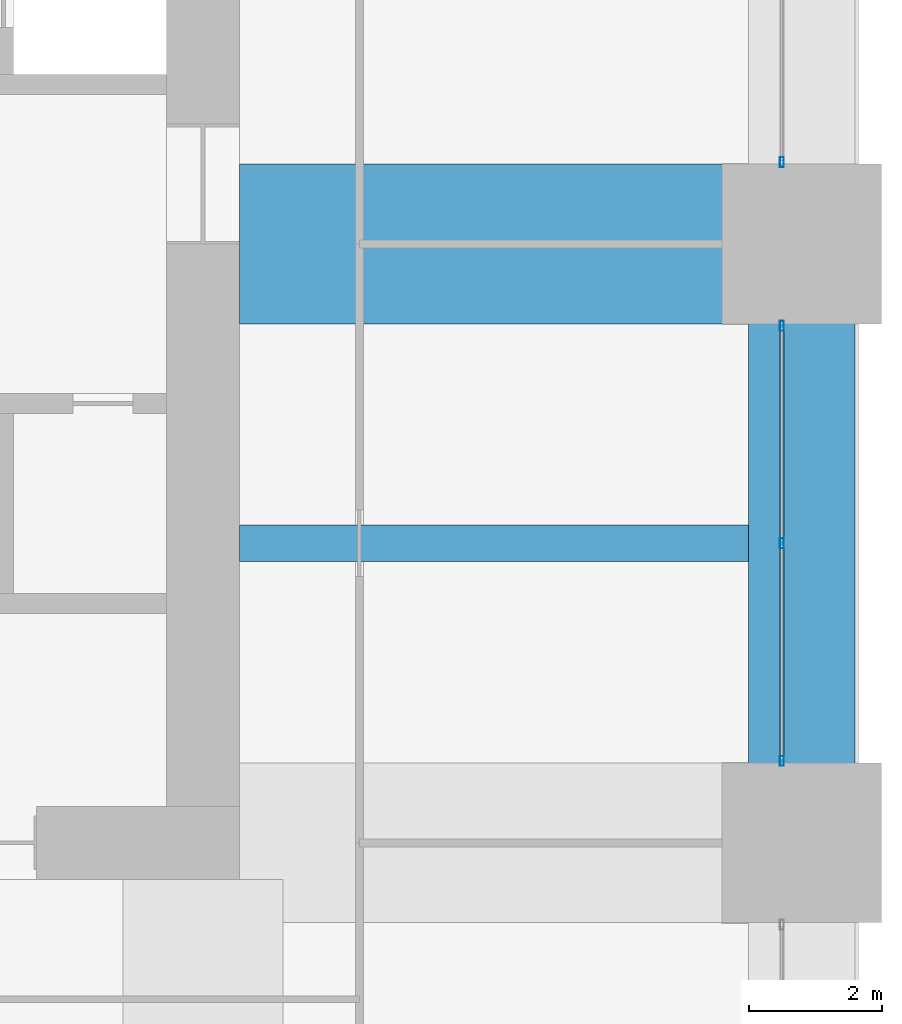
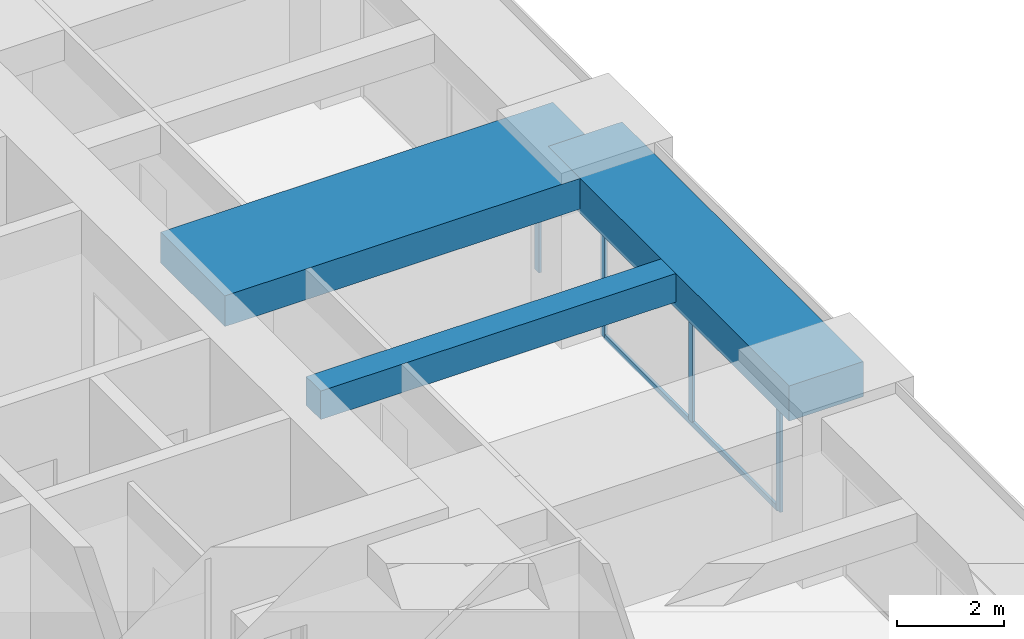
# One storey, part 18 of 35: 5 members, 3 beams, 2 elements without a shape of their own.
"""IFC4 building model written with IfcOpenShell, lengths in metres."""

from ifc_helpers import new_model, si_unit, direction, frame, origin, origin_2d, place, context, subcontext, project, spatial, rectangle, hollow_rectangle, extrude, material, material_profile, profile_set, type_object, element, aggregate, save


model = new_model("IFC4")

# Units and contexts
model_context = context("Model", 3, precision=1e-05, world=origin(), true_north=direction((0.0, 1.0)))
body_context = subcontext(model_context, "Body", "Model", "MODEL_VIEW")
ifc_project = project(units=[si_unit("LENGTHUNIT", "METRE"), si_unit("AREAUNIT", "SQUARE_METRE"), si_unit("VOLUMEUNIT", "CUBIC_METRE"), si_unit("PLANEANGLEUNIT", "RADIAN"), si_unit("MASSUNIT", "GRAM", prefix="KILO")], contexts=[model_context])

# Site, building, storey
site_placement = place(None, origin())
site = spatial("IfcSite", under=ifc_project, at=site_placement, CompositionType="ELEMENT")
building_placement = place(site_placement, origin())
building = spatial("IfcBuilding", under=site, at=building_placement, Name="Zorevar Civic Tower", CompositionType="ELEMENT")
storey_placement = place(building_placement, frame((0.0, 0.0, 222.199951171875)))
storey = spatial("IfcBuildingStorey", under=building, at=storey_placement, Name="L54", CompositionType="ELEMENT", Elevation=222.199951171875)

# Beams
ifc_material_1 = material(Name="Concrete C50/60", Category="concrete")
ifc_material_profile_1 = material_profile(ifc_material_1, rectangle(XDim=2.39990234375, YDim=0.699951171875, at=origin_2d()), Name="RC 2400x700")
ifc_profile_set_1 = profile_set([ifc_material_profile_1], Name="Concrete C50/60")
beam_type_1 = type_object("IfcBeamType", Name="Beam RC 2400x700", PredefinedType="BEAM", material=ifc_profile_set_1)
beam_1_placement = place(storey_placement, frame((45.550048828125, 27.0, 3.400146484375), z_axis=(1.0, 0.0, 0.0), x_axis=(0.0, 1.0, 0.0)))
element("IfcBeam", 1, at=beam_1_placement, inside=storey, type_object=beam_type_1, Name="Girder L55", PredefinedType="BEAM", context=body_context, shape_type="SweptSolid", body=[
    extrude(rectangle(XDim=2.39990234375, YDim=0.699951171875, at=origin_2d()), origin(), (0.0, 0.0, 1.0), 8.449951171875),
])
ifc_material_2 = material(Name="Concrete C50/60", Category="concrete")
ifc_material_profile_2 = material_profile(ifc_material_2, rectangle(XDim=0.550048828125, YDim=0.64990234375, at=origin_2d()), Name="RC 550x650")
ifc_profile_set_2 = profile_set([ifc_material_profile_2], Name="Concrete C50/60")
beam_type_2 = type_object("IfcBeamType", Name="Beam RC 550x650", PredefinedType="BEAM", material=ifc_profile_set_2)
beam_2_placement = place(storey_placement, frame((45.550048828125, 22.5, 3.425048828125), z_axis=(1.0, 0.0, 0.0), x_axis=(0.0, 1.0, 0.0)))
element("IfcBeam", 2, at=beam_2_placement, inside=storey, type_object=beam_type_2, Name="Secondary beam L55", PredefinedType="BEAM", context=body_context, shape_type="SweptSolid", body=[
    extrude(rectangle(XDim=0.550048828125, YDim=0.64990234375, at=origin_2d()), origin(), (0.0, 0.0, 1.0), 7.64990234375),
])

# Curtain wall, members
ifc_material_3 = material(Name="Dark grey solar-control glass in black aluminium frame", Category="aluminium")
curtain_wall_type = type_object("IfcCurtainWallType", Name="Curtain wall CW4 high zone", PredefinedType="NOTDEFINED", material=ifc_material_3)
curtain_wall_1_placement = place(storey_placement, origin())
curtain_wall_1 = element("IfcCurtainWall", 3, at=curtain_wall_1_placement, inside=storey, type_object=curtain_wall_type, Name="CW4 L54", PredefinedType="NOTDEFINED")
ifc_material_4 = material(Name="Aluminium, black anodised", Category="aluminium")
ifc_material_profile_3 = material_profile(ifc_material_4, hollow_rectangle(XDim=0.06005859375, YDim=0.14990234375, WallThickness=0.00390625, at=origin_2d()), Name="AL 150x60x4")
ifc_profile_set_3 = profile_set([ifc_material_profile_3], Name="Aluminium, black anodised")
member_type_1 = type_object("IfcMemberType", Name="CW4 mullion AL 150x60x4", PredefinedType="MULLION", material=ifc_profile_set_3)
member_1_placement = place(storey_placement, frame((53.699951171875, 19.22998046875, 0.0), z_axis=(0.0, 0.0, 1.0), x_axis=(-1.0, 0.0, 0.0)))
member_1 = element("IfcMember", 4, at=member_1_placement, type_object=member_type_1, Name="CW4 mullion 1", PredefinedType="MULLION", context=body_context, shape_type="SweptSolid", body=[
    extrude(hollow_rectangle(XDim=0.06005859375, YDim=0.14990234375, WallThickness=0.00390625, at=origin_2d()), origin(), (0.0, 0.0, 1.0), 2.949951171875),
])
member_2_placement = place(storey_placement, frame((53.699951171875, 22.5, 0.06005859375), z_axis=(0.0, 0.0, 1.0), x_axis=(-1.0, 0.0, 0.0)))
member_2 = element("IfcMember", 5, at=member_2_placement, type_object=member_type_1, Name="CW4 mullion 2", PredefinedType="MULLION", context=body_context, shape_type="SweptSolid", body=[
    extrude(hollow_rectangle(XDim=0.06005859375, YDim=0.14990234375, WallThickness=0.00390625, at=origin_2d()), origin(), (0.0, 0.0, 1.0), 2.889892578125),
])
member_3_placement = place(storey_placement, frame((53.699951171875, 25.77001953125, 0.0), z_axis=(0.0, 0.0, 1.0), x_axis=(-1.0, 0.0, 0.0)))
member_3 = element("IfcMember", 6, at=member_3_placement, type_object=member_type_1, Name="CW4 mullion 3", PredefinedType="MULLION", context=body_context, shape_type="SweptSolid", body=[
    extrude(hollow_rectangle(XDim=0.06005859375, YDim=0.14990234375, WallThickness=0.00390625, at=origin_2d()), origin(), (0.0, 0.0, 1.0), 2.949951171875),
])

# Curtain wall, member
curtain_wall_2_placement = place(storey_placement, origin())
curtain_wall_2 = element("IfcCurtainWall", 7, at=curtain_wall_2_placement, inside=storey, type_object=curtain_wall_type, Name="CW4 L54", PredefinedType="NOTDEFINED")
member_4_placement = place(storey_placement, frame((53.699951171875, 28.22998046875, 0.0), z_axis=(0.0, 0.0, 1.0), x_axis=(-1.0, 0.0, 0.0)))
member_4 = element("IfcMember", 8, at=member_4_placement, type_object=member_type_1, Name="CW4 mullion 1", PredefinedType="MULLION", context=body_context, shape_type="SweptSolid", body=[
    extrude(hollow_rectangle(XDim=0.06005859375, YDim=0.14990234375, WallThickness=0.00390625, at=origin_2d()), origin(), (0.0, 0.0, 1.0), 2.949951171875),
])
aggregate(curtain_wall_2, [member_4])

# Member
ifc_material_5 = material(Name="Aluminium, black anodised", Category="aluminium")
ifc_material_profile_4 = material_profile(ifc_material_5, hollow_rectangle(XDim=0.06005859375, YDim=0.1201171875, WallThickness=0.0029296875, at=origin_2d()), Name="AL 120x60x3")
ifc_profile_set_4 = profile_set([ifc_material_profile_4], Name="Aluminium, black anodised")
member_type_2 = type_object("IfcMemberType", Name="CW4 transom AL 120x60x3", PredefinedType="USERDEFINED", material=ifc_profile_set_4)
member_5_placement = place(storey_placement, frame((53.699951171875, 19.260009765625, 0.030029296875), z_axis=(0.0, 1.0, 0.0), x_axis=(-1.0, 0.0, 0.0)))
member_5 = element("IfcMember", 9, at=member_5_placement, type_object=member_type_2, Name="CW4 sill transom", ObjectType="TRANSOM", PredefinedType="USERDEFINED", context=body_context, shape_type="SweptSolid", body=[
    extrude(hollow_rectangle(XDim=0.06005859375, YDim=0.1201171875, WallThickness=0.0029296875, at=origin_2d()), origin(), (0.0, 0.0, 1.0), 6.47998046875),
])

aggregate(curtain_wall_1, [member_1, member_2, member_3, member_5])

# Beam
ifc_material_6 = material(Name="Concrete C50/60", Category="concrete")
ifc_material_profile_5 = material_profile(ifc_material_6, rectangle(XDim=1.60009765625, YDim=0.800048828125, at=origin_2d()), Name="RC 1600x800")
ifc_profile_set_5 = profile_set([ifc_material_profile_5], Name="Concrete C50/60")
beam_type_3 = type_object("IfcBeamType", Name="Edge beam RC 1600x800", PredefinedType="SPANDREL", material=ifc_profile_set_5)
beam_3_placement = place(storey_placement, frame((54.0, 18.0, 3.35009765625), z_axis=(0.0, 1.0, 0.0), x_axis=(-1.0, 0.0, 0.0)))
element("IfcBeam", 10, at=beam_3_placement, inside=storey, type_object=beam_type_3, Name="Edge beam L55", PredefinedType="SPANDREL", context=body_context, shape_type="SweptSolid", body=[
    extrude(rectangle(XDim=1.60009765625, YDim=0.800048828125, at=origin_2d()), origin(), (0.0, 0.0, 1.0), 9.0),
])

save(model, "model.ifc")
